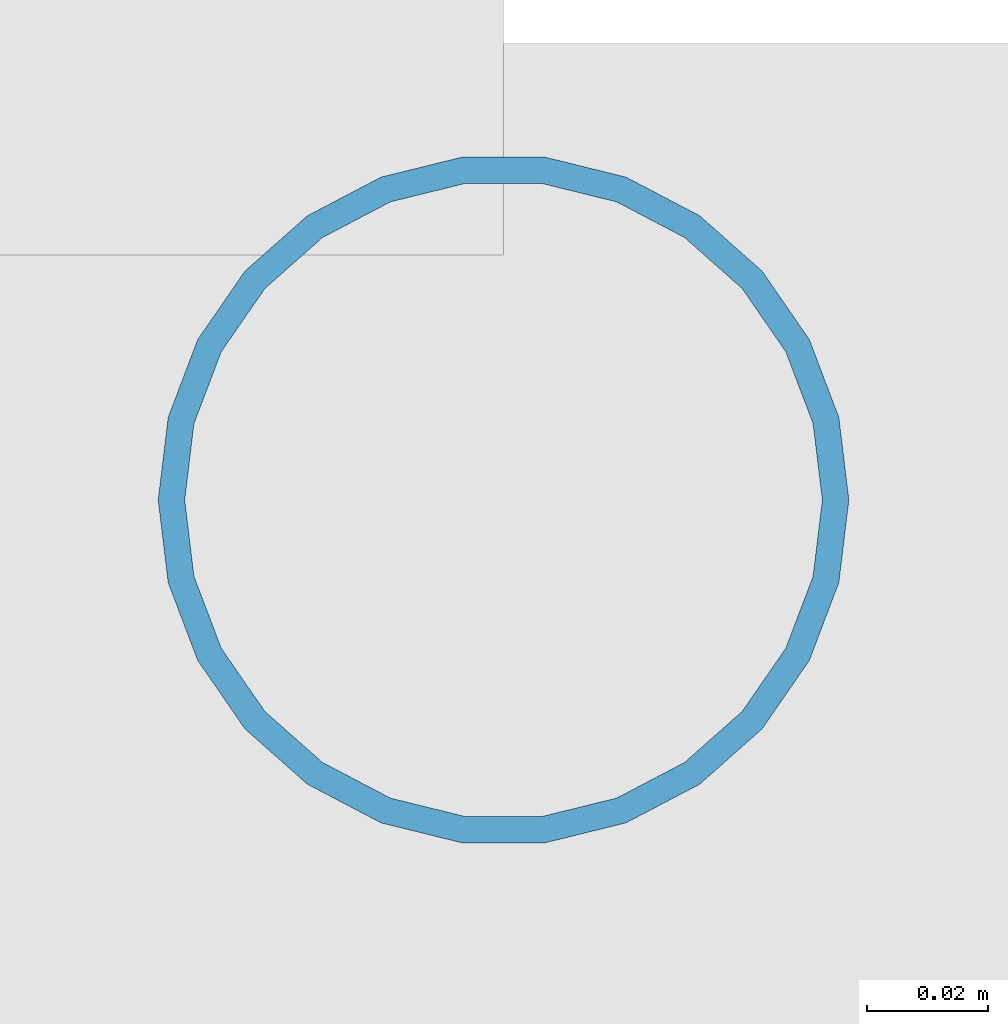
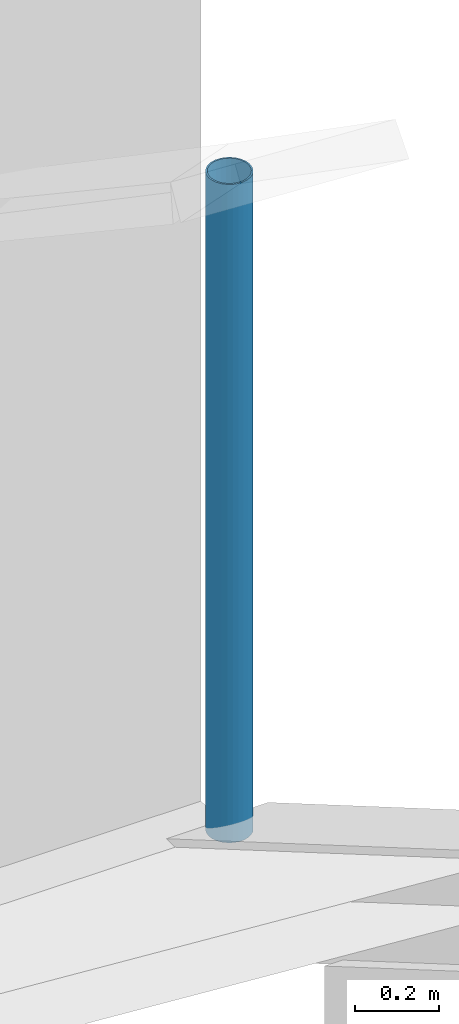
# One storey, part 101 of 111: 1 discrete accessory.
"""IFC4 building model written with IfcOpenShell, lengths in metres."""

from ifc_helpers import new_model, si_unit, direction, frame, origin, origin_2d, place, context, subcontext, project, spatial, hollow_circle, extrude, material, material_profile, profile_set, type_object, element, save


model = new_model("IFC4")

# Units and contexts
model_context = context("Model", 3, precision=1e-05, world=origin(), true_north=direction((0.0, 1.0)))
body_context = subcontext(model_context, "Body", "Model", "MODEL_VIEW")
ifc_project = project(units=[si_unit("LENGTHUNIT", "METRE"), si_unit("AREAUNIT", "SQUARE_METRE"), si_unit("VOLUMEUNIT", "CUBIC_METRE"), si_unit("PLANEANGLEUNIT", "RADIAN"), si_unit("MASSUNIT", "GRAM", prefix="KILO")], contexts=[model_context])

# Site, building, storey
site_placement = place(None, origin())
site = spatial("IfcSite", under=ifc_project, at=site_placement, CompositionType="ELEMENT")
building_placement = place(site_placement, origin())
building = spatial("IfcBuilding", under=site, at=building_placement, Name="Rain Tree Exposition and Congress Centre", CompositionType="ELEMENT")
storey_placement = place(building_placement, frame((0.0, 0.0, 19.5)))
storey = spatial("IfcBuildingStorey", under=building, at=storey_placement, Name="RF", CompositionType="ELEMENT", Elevation=19.5)

# Discrete accessory
ifc_material = material(Name="Steel S355J2H", Category="steel")
ifc_material_profile = material_profile(ifc_material, hollow_circle(Radius=0.05712890625, WallThickness=0.00439453125, at=origin_2d()), Name="CHS 114x4.5")
ifc_profile_set = profile_set([ifc_material_profile], Name="Steel S355J2H")
discrete_accessory_type = type_object("IfcDiscreteAccessoryType", Name="Roof skin post CHS 114x4.5", PredefinedType="BRACKET", material=ifc_profile_set)
discrete_accessory_placement = place(storey_placement, frame((243.60009765625, 201.60009765625, 0.5), z_axis=(0.0, 0.0, 1.0), x_axis=(1.0, 0.0, 0.0)))
element("IfcDiscreteAccessory", 1, at=discrete_accessory_placement, inside=storey, type_object=discrete_accessory_type, Name="Roof skin post B169", PredefinedType="BRACKET", context=body_context, shape_type="SweptSolid", body=[
    extrude(hollow_circle(Radius=0.05712890625, WallThickness=0.00439453125, at=origin_2d()), origin(), (0.0, 0.0, 1.0), 1.919921875),
])

save(model, "model.ifc")
